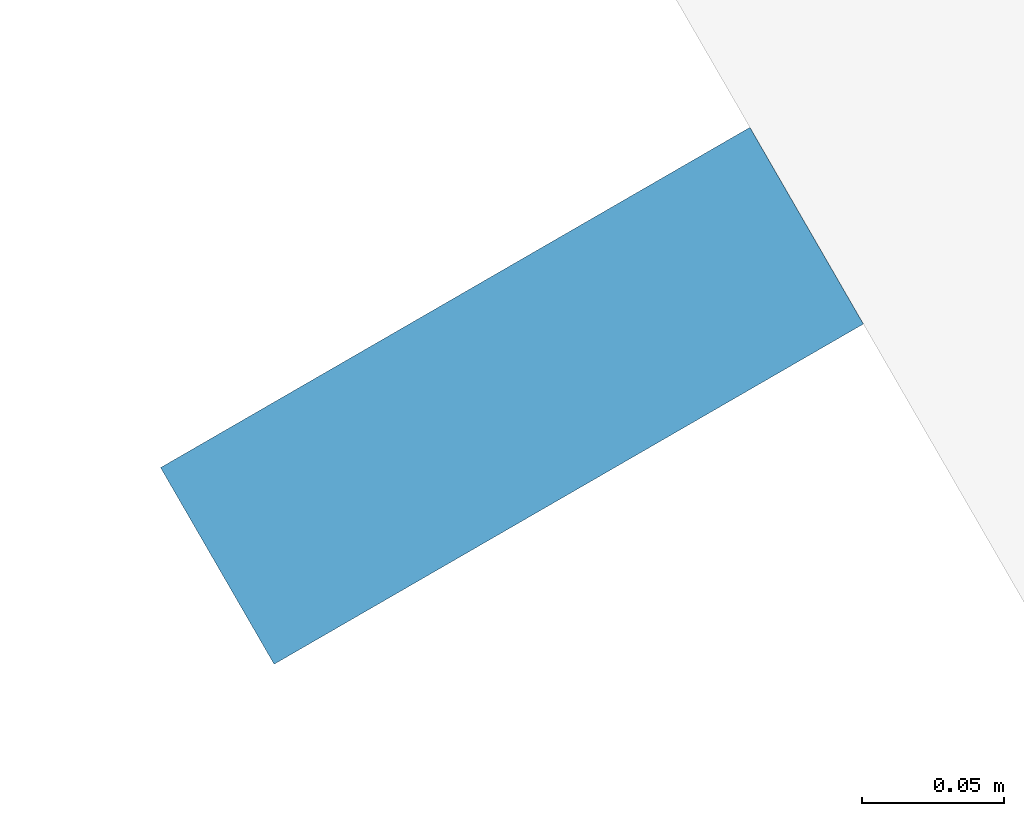
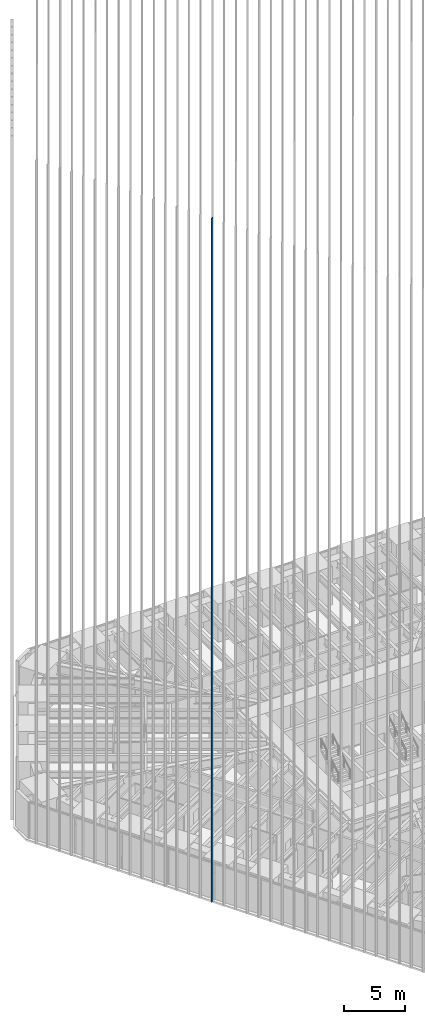
# One storey, part 52 of 256: 1 member, 1 element without a shape of its own.
"""IFC4 building model written with IfcOpenShell, lengths in metres."""

from ifc_helpers import new_model, si_unit, direction, frame, origin, origin_2d, place, context, subcontext, project, spatial, rectangle, extrude, material, material_profile, profile_set, type_object, element, aggregate, save


model = new_model("IFC4")

# Units and contexts
model_context = context("Model", 3, precision=1e-05, world=origin(), true_north=direction((0.0, 1.0)))
body_context = subcontext(model_context, "Body", "Model", "MODEL_VIEW")
ifc_project = project(units=[si_unit("LENGTHUNIT", "METRE"), si_unit("AREAUNIT", "SQUARE_METRE"), si_unit("VOLUMEUNIT", "CUBIC_METRE"), si_unit("PLANEANGLEUNIT", "RADIAN"), si_unit("MASSUNIT", "GRAM", prefix="KILO")], contexts=[model_context])

# Site, building, storey
site_placement = place(None, origin())
site = spatial("IfcSite", under=ifc_project, at=site_placement, CompositionType="ELEMENT")
building_placement = place(site_placement, origin())
building = spatial("IfcBuilding", under=site, at=building_placement, Name="Sandreach Pilgrim Tower", CompositionType="ELEMENT")
storey_placement = place(building_placement, frame((0.0, 0.0, 23.0)))
storey = spatial("IfcBuildingStorey", under=building, at=storey_placement, Name="L04", CompositionType="ELEMENT", Elevation=23.0)

# Curtain wall, member
ifc_material_1 = material(Name="Aluminium framed curtain wall", Category="aluminium")
curtain_wall_type = type_object("IfcCurtainWallType", Name="Hostel tower curtain wall", PredefinedType="NOTDEFINED", material=ifc_material_1)
curtain_wall_placement = place(storey_placement, origin())
curtain_wall = element("IfcCurtainWall", 1, at=curtain_wall_placement, inside=storey, type_object=curtain_wall_type, Name="CW-1 L04 SW", PredefinedType="NOTDEFINED")
ifc_material_2 = material(Name="Extruded terracotta on aluminium core", Category="masonry")
ifc_material_profile = material_profile(ifc_material_2, rectangle(XDim=0.080078125, YDim=0.239990234375, at=origin_2d()), Name="TBW 80X240")
ifc_profile_set = profile_set([ifc_material_profile], Name="Extruded terracotta on aluminium core")
member_type = type_object("IfcMemberType", Name="Terracotta baguette west", PredefinedType="USERDEFINED", material=ifc_profile_set)
member_placement = place(storey_placement, frame((-22.210205078125, -10.26806640625, 0.0), z_axis=(0.0, 0.0, 1.0), x_axis=(-0.5, 0.866025403784, 0.0)))
member = element("IfcMember", 2, at=member_placement, type_object=member_type, Name="Baguette Z1 SW20", ObjectType="BAGUETTE", PredefinedType="USERDEFINED", context=body_context, shape_type="SweptSolid", body=[
    extrude(rectangle(XDim=0.080078125, YDim=0.239990234375, at=origin_2d()), origin(), (0.0, 0.0, 1.0), 68.239990234375),
])
aggregate(curtain_wall, [member])

save(model, "model.ifc")
